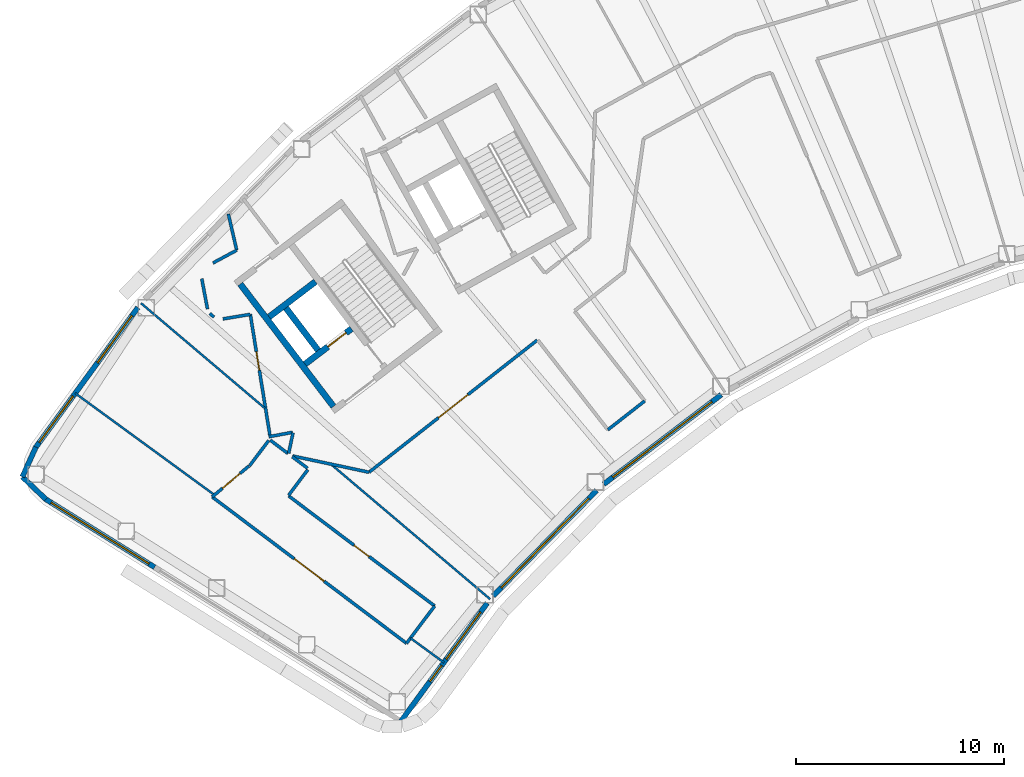
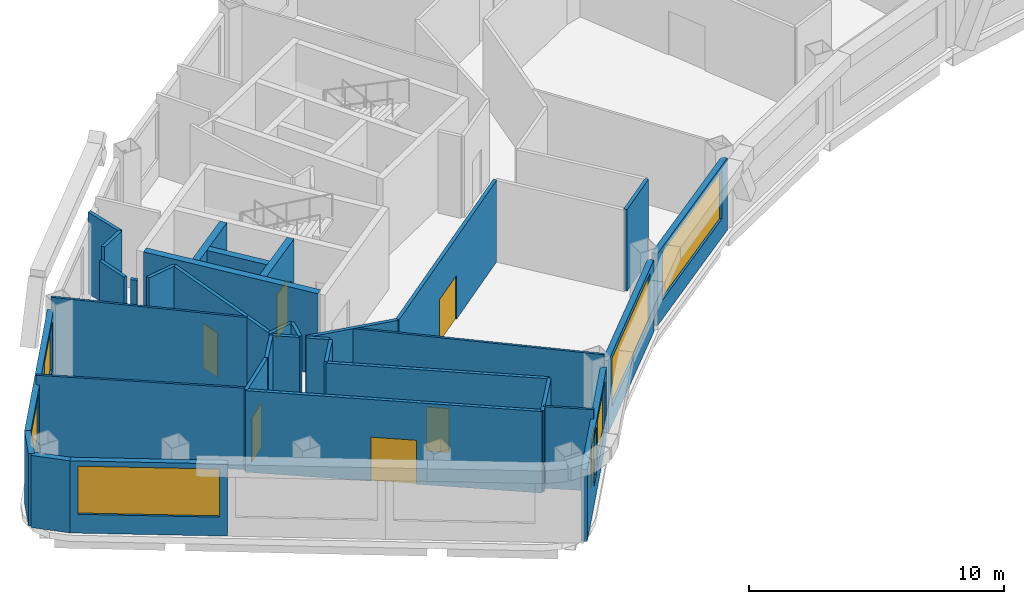
# One storey, part 5 of 14: 34 walls, 7 windows, 6 doors, 13 openings.
"""IFC4 building model written with IfcOpenShell, lengths in metres."""

from ifc_helpers import new_model, si_unit, direction, frame, frame_2d, origin, place, context, subcontext, project, spatial, rectangle, extrude, material, layer, layer_set, type_object, element, fill, save


model = new_model("IFC4")

# Units and contexts
model_context = context("Model", 3, precision=1e-05, world=origin(), true_north=direction((0.0, 1.0)))
body_context = subcontext(model_context, "Body", "Model", "MODEL_VIEW")
ifc_project = project(units=[si_unit("LENGTHUNIT", "METRE"), si_unit("AREAUNIT", "SQUARE_METRE"), si_unit("VOLUMEUNIT", "CUBIC_METRE"), si_unit("PLANEANGLEUNIT", "RADIAN"), si_unit("MASSUNIT", "GRAM", prefix="KILO")], contexts=[model_context])

# Site, building, storey
site_placement = place(None, origin())
site = spatial("IfcSite", under=ifc_project, at=site_placement, CompositionType="ELEMENT")
building_placement = place(site_placement, origin())
building = spatial("IfcBuilding", under=site, at=building_placement, Name="Tuul Gate Civic Tower", CompositionType="ELEMENT")
storey_placement = place(building_placement, frame((0.0, 0.0, 269.39990234375)))
storey = spatial("IfcBuildingStorey", under=building, at=storey_placement, Name="Level 61", CompositionType="ELEMENT", Elevation=269.39990234375)

# Wall, opening, door
ifc_material_1 = material(Name="Concrete C50/60", Category="concrete")
ifc_layer_1 = layer(ifc_material_1, 0.300048828125)
ifc_layer_set_1 = layer_set([ifc_layer_1], Name="Concrete C50/60")
wall_type_1 = type_object("IfcWallType", Name="Core wall C50/60", PredefinedType="SHEAR", material=ifc_layer_set_1)
wall_1_placement = place(storey_placement, frame((-35.470947265625, -13.66064453125, 0.0), z_axis=(0.0, 0.0, 1.0), x_axis=(-0.795615822227, -0.605801504968, 0.0)))
wall_1 = element("IfcWall", 1, at=wall_1_placement, inside=storey, type_object=wall_type_1, Name="Core wall", PredefinedType="SHEAR", context=body_context, shape_type="SweptSolid", body=[
    extrude(rectangle(XDim=2.800048828125, YDim=0.300048828125, at=frame_2d((1.39990234375, 0.0))), origin(), (0.0, 0.0, 1.0), 3.900146484375),
])
opening_1_placement = place(wall_1_placement, frame((0.324951171875, 0.0, 0.0)))
opening_1 = element("IfcOpeningElement", 2, at=opening_1_placement, cuts=wall_1, Name="Opening LD-H1", PredefinedType="OPENING", context=body_context, shape_type="SweptSolid", body=[
    extrude(rectangle(XDim=1.10009765625, YDim=2.10009765625, at=frame_2d((0.550048828125, 1.050048828125))), frame((0.0, 0.16015625, 0.0), z_axis=(0.0, -1.0, 0.0), x_axis=(1.0, 0.0, 0.0)), (0.0, 0.0, 1.0), 0.320068359375),
])
ifc_material_2 = material(Name="Stainless steel", Category="steel")
door_type_1 = type_object("IfcDoorType", Name="Landing door", OperationType="DOUBLE_DOOR_SLIDING", PredefinedType="DOOR", material=ifc_material_2)
door_1_placement = place(opening_1_placement, origin())
door_1 = element("IfcDoor", 3, at=door_1_placement, inside=storey, type_object=door_type_1, Name="High-rise lift H1 landing door", OperationType="DOUBLE_DOOR_SLIDING", OverallHeight=2.10009765625, OverallWidth=1.10009765625, PredefinedType="DOOR", context=body_context, shape_type="SweptSolid", body=[
    extrude(rectangle(XDim=1.10009765625, YDim=2.10009765625, at=frame_2d((0.550048828125, 1.050048828125))), frame((0.0, 0.02490234375, 0.0), z_axis=(0.0, -1.0, 0.0), x_axis=(1.0, 0.0, 0.0)), (0.0, 0.0, 1.0), 0.050048828125),
])
fill(opening_1, door_1)

# Walls
wall_2_placement = place(storey_placement, frame((-37.197509765625, -11.39306640625, 0.0), z_axis=(0.0, 0.0, 1.0), x_axis=(-0.795583820278, -0.605843531707, 0.0)))
element("IfcWall", 4, at=wall_2_placement, inside=storey, type_object=wall_type_1, Name="Core wall", PredefinedType="SHEAR", context=body_context, shape_type="SweptSolid", body=[
    extrude(rectangle(XDim=2.7998046875, YDim=0.300048828125, at=frame_2d((1.39990234375, 0.0))), origin(), (0.0, 0.0, 1.0), 3.900146484375),
])
wall_3_placement = place(storey_placement, frame((-37.073486328125, -14.6923828125, 0.0), z_axis=(0.0, 0.0, 1.0), x_axis=(-0.605728760074, 0.79567120673, 0.0)))
element("IfcWall", 5, at=wall_3_placement, inside=storey, type_object=wall_type_1, Name="Core wall", PredefinedType="SHEAR", context=body_context, shape_type="SweptSolid", body=[
    extrude(rectangle(XDim=2.550048828125, YDim=0.300048828125, at=frame_2d((1.27490234375, 0.0))), origin(), (0.0, 0.0, 1.0), 3.900146484375),
])
wall_4_placement = place(storey_placement, frame((-36.333984375, -17.397216796875, 0.0), z_axis=(0.0, 0.0, 1.0), x_axis=(-0.605753921168, 0.795652051458, 0.0)))
element("IfcWall", 6, at=wall_4_placement, inside=storey, type_object=wall_type_1, Name="Core wall", PredefinedType="SHEAR", context=body_context, shape_type="SweptSolid", body=[
    extrude(rectangle(XDim=7.400146484375, YDim=0.300048828125, at=frame_2d((3.7001953125, 0.0))), origin(), (0.0, 0.0, 1.0), 3.900146484375),
])
ifc_material_3 = material(Name="Gypsum board partition")
ifc_layer_2 = layer(ifc_material_3, 0.14990234375)
ifc_layer_set_2 = layer_set([ifc_layer_2], Name="Gypsum board partition")
wall_type_2 = type_object("IfcWallType", Name="Corridor wall P150", PredefinedType="PARTITIONING", material=ifc_layer_set_2)
wall_5_placement = place(storey_placement, frame((-41.389404296875, -8.13916015625, 0.0), z_axis=(0.0, 0.0, 1.0), x_axis=(0.224829597414, -0.974398097354, 0.0)))
element("IfcWall", 7, at=wall_5_placement, inside=storey, type_object=wall_type_2, Name="p003", PredefinedType="PARTITIONING", context=body_context, shape_type="SweptSolid", body=[
    extrude(rectangle(XDim=1.78857421875, YDim=0.14990234375, at=frame_2d((0.894287109375, 0.0))), origin(), (0.0, 0.0, 1.0), 3.900146484375),
])

# Wall, opening, door
wall_6_placement = place(storey_placement, frame((-40.333740234375, -12.9658203125, 0.0), z_axis=(0.0, 0.0, 1.0), x_axis=(0.160026866299, -0.987112659256, 0.0)))
wall_6 = element("IfcWall", 8, at=wall_6_placement, inside=storey, type_object=wall_type_2, Name="p004", PredefinedType="PARTITIONING", context=body_context, shape_type="SweptSolid", body=[
    extrude(rectangle(XDim=5.951416015625, YDim=0.14990234375, at=frame_2d((2.9755859375, 0.0))), origin(), (0.0, 0.0, 1.0), 3.900146484375),
])
opening_2_placement = place(wall_6_placement, frame((1.818359375, 0.0, 0.0)))
opening_2 = element("IfcOpeningElement", 9, at=opening_2_placement, cuts=wall_6, Name="Opening W-D01", PredefinedType="OPENING", context=body_context, shape_type="SweptSolid", body=[
    extrude(rectangle(XDim=0.89990234375, YDim=2.10009765625, at=frame_2d((0.449951171875, 1.050048828125))), frame((0.0, 0.0849609375, 0.0), z_axis=(0.0, -1.0, 0.0), x_axis=(1.0, 0.0, 0.0)), (0.0, 0.0, 1.0), 0.169921875),
])
ifc_material_4 = material(Name="Timber door leaf", Category="wood")
door_type_2 = type_object("IfcDoorType", Name="Door D09", OperationType="NOTDEFINED", PredefinedType="DOOR", material=ifc_material_4)
door_2_placement = place(opening_2_placement, frame((0.89990234375, 0.0, 0.0), z_axis=(0.0, 0.0, 1.0), x_axis=(-1.0, 0.0, 0.0)))
door_2 = element("IfcDoor", 10, at=door_2_placement, inside=storey, type_object=door_type_2, Name="Door W-D01", OperationType="SINGLE_SWING_LEFT", OverallHeight=2.10009765625, OverallWidth=0.89990234375, PredefinedType="DOOR", context=body_context, shape_type="SweptSolid", body=[
    extrude(rectangle(XDim=0.89990234375, YDim=2.10009765625, at=frame_2d((0.449951171875, 1.050048828125))), frame((0.0, 0.02490234375, 0.0), z_axis=(0.0, -1.0, 0.0), x_axis=(1.0, 0.0, 0.0)), (0.0, 0.0, 1.0), 0.050048828125),
])
fill(opening_2, door_2)

# Walls
wall_7_placement = place(storey_placement, frame((-42.1259765625, -10.49609375, 0.0), z_axis=(0.0, 0.0, 1.0), x_axis=(0.88010728626, 0.474774856824, 0.0)))
element("IfcWall", 11, at=wall_7_placement, inside=storey, type_object=wall_type_2, Name="p005", PredefinedType="PARTITIONING", context=body_context, shape_type="SweptSolid", body=[
    extrude(rectangle(XDim=1.293701171875, YDim=0.14990234375, at=frame_2d((0.64697265625, 0.0))), origin(), (0.0, 0.0, 1.0), 3.900146484375),
])
wall_8_placement = place(storey_placement, frame((-42.6669921875, -11.251953125, 0.0), z_axis=(0.0, 0.0, 1.0), x_axis=(0.184913715459, -0.982754759762, 0.0)))
element("IfcWall", 12, at=wall_8_placement, inside=storey, type_object=wall_type_2, Name="p006", PredefinedType="PARTITIONING", context=body_context, shape_type="SweptSolid", body=[
    extrude(rectangle(XDim=1.4853515625, YDim=0.14990234375, at=frame_2d((0.74267578125, 0.0))), origin(), (0.0, 0.0, 1.0), 3.900146484375),
])
wall_9_placement = place(storey_placement, frame((-42.2802734375, -12.9267578125, 0.0), z_axis=(0.0, 0.0, 1.0), x_axis=(0.759648822449, -0.650333504097, 0.0)))
element("IfcWall", 13, at=wall_9_placement, inside=storey, type_object=wall_type_2, Name="p007", PredefinedType="PARTITIONING", context=body_context, shape_type="SweptSolid", body=[
    extrude(rectangle(XDim=0.263427734375, YDim=0.14990234375, at=frame_2d((0.1318359375, 0.0))), origin(), (0.0, 0.0, 1.0), 3.900146484375),
])
wall_10_placement = place(storey_placement, frame((-41.651611328125, -13.185302734375, 0.0), z_axis=(0.0, 0.0, 1.0), x_axis=(0.986428455202, 0.164191664734, 0.0)))
element("IfcWall", 14, at=wall_10_placement, inside=storey, type_object=wall_type_2, Name="p008", PredefinedType="PARTITIONING", context=body_context, shape_type="SweptSolid", body=[
    extrude(rectangle(XDim=1.336669921875, YDim=0.14990234375, at=frame_2d((0.66845703125, 0.0))), origin(), (0.0, 0.0, 1.0), 3.900146484375),
])
wall_11_placement = place(storey_placement, frame((-32.821044921875, -28.787109375, 0.0), z_axis=(0.0, 0.0, 1.0), x_axis=(0.601857264681, 0.798603677021, 0.0)))
element("IfcWall", 15, at=wall_11_placement, inside=storey, type_object=wall_type_2, Name="p053", PredefinedType="PARTITIONING", context=body_context, shape_type="SweptSolid", body=[
    extrude(rectangle(XDim=2.24853515625, YDim=0.14990234375, at=frame_2d((1.124267578125, 0.0))), origin(), (0.0, 0.0, 1.0), 3.900146484375),
])

# Wall, opening, door
wall_12_placement = place(storey_placement, frame((-38.4912109375, -21.697998046875, 0.0), z_axis=(0.0, 0.0, 1.0), x_axis=(0.798628696384, -0.601824065082, 0.0)))
wall_12 = element("IfcWall", 16, at=wall_12_placement, inside=storey, type_object=wall_type_2, Name="p055", PredefinedType="PARTITIONING", context=body_context, shape_type="SweptSolid", body=[
    extrude(rectangle(XDim=8.7939453125, YDim=0.14990234375, at=frame_2d((4.39697265625, 0.0))), origin(), (0.0, 0.0, 1.0), 3.900146484375),
])
opening_3_placement = place(wall_12_placement, frame((3.947021484375, 0.0, 0.0)))
opening_3 = element("IfcOpeningElement", 17, at=opening_3_placement, cuts=wall_12, Name="Opening W-D18", PredefinedType="OPENING", context=body_context, shape_type="SweptSolid", body=[
    extrude(rectangle(XDim=0.89990234375, YDim=2.10009765625, at=frame_2d((0.449951171875, 1.050048828125))), frame((0.0, 0.0849609375, 0.0), z_axis=(0.0, -1.0, 0.0), x_axis=(1.0, 0.0, 0.0)), (0.0, 0.0, 1.0), 0.169921875),
])
door_3_placement = place(opening_3_placement, origin())
door_3 = element("IfcDoor", 18, at=door_3_placement, inside=storey, type_object=door_type_2, Name="Door W-D18", OperationType="SINGLE_SWING_RIGHT", OverallHeight=2.10009765625, OverallWidth=0.89990234375, PredefinedType="DOOR", context=body_context, shape_type="SweptSolid", body=[
    extrude(rectangle(XDim=0.89990234375, YDim=2.10009765625, at=frame_2d((0.449951171875, 1.050048828125))), frame((0.0, 0.02490234375, 0.0), z_axis=(0.0, -1.0, 0.0), x_axis=(1.0, 0.0, 0.0)), (0.0, 0.0, 1.0), 0.050048828125),
])
fill(opening_3, door_3)

# Walls
wall_13_placement = place(storey_placement, frame((-38.4951171875, -21.669921875, 0.0), z_axis=(0.0, 0.0, 1.0), x_axis=(0.601901548025, 0.79857030153, 0.0)))
element("IfcWall", 19, at=wall_13_placement, inside=storey, type_object=wall_type_2, Name="p056", PredefinedType="PARTITIONING", context=body_context, shape_type="SweptSolid", body=[
    extrude(rectangle(XDim=1.539306640625, YDim=0.14990234375, at=frame_2d((0.76953125, 0.0))), origin(), (0.0, 0.0, 1.0), 3.900146484375),
])
wall_14_placement = place(storey_placement, frame((-39.375, -19.016357421875, 0.0), z_axis=(0.0, 0.0, 1.0), x_axis=(0.798574004357, -0.601896635284, 0.0)))
element("IfcWall", 20, at=wall_14_placement, inside=storey, type_object=wall_type_2, Name="p057", PredefinedType="PARTITIONING", context=body_context, shape_type="SweptSolid", body=[
    extrude(rectangle(XDim=1.070068359375, YDim=0.14990234375, at=frame_2d((0.53515625, 0.0))), origin(), (0.0, 0.0, 1.0), 3.900146484375),
])
wall_15_placement = place(storey_placement, frame((-38.319091796875, -19.812255859375, 0.0), z_axis=(0.0, 0.0, 1.0), x_axis=(0.798702514551, -0.601726094872, 0.0)))
element("IfcWall", 21, at=wall_15_placement, inside=storey, type_object=wall_type_2, Name="p058", PredefinedType="PARTITIONING", context=body_context, shape_type="SweptSolid", body=[
    extrude(rectangle(XDim=0.927001953125, YDim=0.14990234375, at=frame_2d((0.46337890625, 0.0))), origin(), (0.0, 0.0, 1.0), 3.900146484375),
])
wall_16_placement = place(storey_placement, frame((-38.302734375, -19.776611328125, 0.0), z_axis=(0.0, 0.0, 1.0), x_axis=(0.978069382998, -0.208279336568, 0.0)))
element("IfcWall", 22, at=wall_16_placement, inside=storey, type_object=wall_type_2, Name="p059", PredefinedType="PARTITIONING", context=body_context, shape_type="SweptSolid", body=[
    extrude(rectangle(XDim=3.7626953125, YDim=0.14990234375, at=frame_2d((1.88134765625, 0.0))), origin(), (0.0, 0.0, 1.0), 3.900146484375),
])
wall_17_placement = place(storey_placement, frame((-39.44580078125, -18.853515625, 0.0), z_axis=(0.0, 0.0, 1.0), x_axis=(0.982791297531, 0.184719423714, 0.0)))
element("IfcWall", 23, at=wall_17_placement, inside=storey, type_object=wall_type_2, Name="p060", PredefinedType="PARTITIONING", context=body_context, shape_type="SweptSolid", body=[
    extrude(rectangle(XDim=1.1630859375, YDim=0.14990234375, at=frame_2d((0.58154296875, 0.0))), origin(), (0.0, 0.0, 1.0), 3.900146484375),
])
wall_18_placement = place(storey_placement, frame((-38.489013671875, -19.648681640625, 0.0), z_axis=(0.0, 0.0, 1.0), x_axis=(0.208304852923, 0.978063948957, 0.0)))
element("IfcWall", 24, at=wall_18_placement, inside=storey, type_object=wall_type_2, Name="p061", PredefinedType="PARTITIONING", context=body_context, shape_type="SweptSolid", body=[
    extrude(rectangle(XDim=1.008056640625, YDim=0.14990234375, at=frame_2d((0.50390625, 0.0))), origin(), (0.0, 0.0, 1.0), 3.900146484375),
])
wall_19_placement = place(storey_placement, frame((-40.3720703125, -20.255859375, 0.0), z_axis=(0.0, 0.0, 1.0), x_axis=(0.601825320308, 0.79862775048, 0.0)))
element("IfcWall", 25, at=wall_19_placement, inside=storey, type_object=wall_type_2, Name="p062", PredefinedType="PARTITIONING", context=body_context, shape_type="SweptSolid", body=[
    extrude(rectangle(XDim=1.53955078125, YDim=0.14990234375, at=frame_2d((0.769775390625, 0.0))), origin(), (0.0, 0.0, 1.0), 3.900146484375),
])

# Wall, opening, door
wall_20_placement = place(storey_placement, frame((-42.166015625, -21.7451171875, 0.0), z_axis=(0.0, 0.0, 1.0), x_axis=(0.765317077377, 0.643653455732, 0.0)))
wall_20 = element("IfcWall", 26, at=wall_20_placement, inside=storey, type_object=wall_type_2, Name="p063", PredefinedType="PARTITIONING", context=body_context, shape_type="SweptSolid", body=[
    extrude(rectangle(XDim=2.3076171875, YDim=0.14990234375, at=frame_2d((1.15380859375, 0.0))), origin(), (0.0, 0.0, 1.0), 3.900146484375),
])
opening_4_placement = place(wall_20_placement, frame((0.64453125, 0.0, 0.0)))
opening_4 = element("IfcOpeningElement", 27, at=opening_4_placement, cuts=wall_20, Name="Opening W-D19", PredefinedType="OPENING", context=body_context, shape_type="SweptSolid", body=[
    extrude(rectangle(XDim=1.10009765625, YDim=2.10009765625, at=frame_2d((0.550048828125, 1.050048828125))), frame((0.0, 0.0849609375, 0.0), z_axis=(0.0, -1.0, 0.0), x_axis=(1.0, 0.0, 0.0)), (0.0, 0.0, 1.0), 0.169921875),
])
ifc_material_5 = material(Name="Timber door leaf", Category="wood")
door_type_3 = type_object("IfcDoorType", Name="Door D11", OperationType="NOTDEFINED", PredefinedType="DOOR", material=ifc_material_5)
door_4_placement = place(opening_4_placement, origin())
door_4 = element("IfcDoor", 28, at=door_4_placement, inside=storey, type_object=door_type_3, Name="Door W-D19", OperationType="SINGLE_SWING_LEFT", OverallHeight=2.10009765625, OverallWidth=1.10009765625, PredefinedType="DOOR", context=body_context, shape_type="SweptSolid", body=[
    extrude(rectangle(XDim=1.10009765625, YDim=2.10009765625, at=frame_2d((0.550048828125, 1.050048828125))), frame((0.0, 0.02490234375, 0.0), z_axis=(0.0, -1.0, 0.0), x_axis=(1.0, 0.0, 0.0)), (0.0, 0.0, 1.0), 0.050048828125),
])
fill(opening_4, door_4)

wall_21_placement = place(storey_placement, frame((-42.166015625, -21.74609375, 0.0), z_axis=(0.0, 0.0, 1.0), x_axis=(0.798633245042, -0.601818028904, 0.0)))
wall_21 = element("IfcWall", 29, at=wall_21_placement, inside=storey, type_object=wall_type_2, Name="p064", PredefinedType="PARTITIONING", context=body_context, shape_type="SweptSolid", body=[
    extrude(rectangle(XDim=11.699951171875, YDim=0.14990234375, at=frame_2d((5.85009765625, 0.0))), origin(), (0.0, 0.0, 1.0), 3.900146484375),
])
opening_5_placement = place(wall_21_placement, frame((4.949951171875, 0.0, 0.0)))
opening_5 = element("IfcOpeningElement", 30, at=opening_5_placement, cuts=wall_21, Name="Opening W-D20", PredefinedType="OPENING", context=body_context, shape_type="SweptSolid", body=[
    extrude(rectangle(XDim=1.800048828125, YDim=2.10009765625, at=frame_2d((0.89990234375, 1.050048828125))), frame((0.0, 0.0849609375, 0.0), z_axis=(0.0, -1.0, 0.0), x_axis=(1.0, 0.0, 0.0)), (0.0, 0.0, 1.0), 0.169921875),
])
ifc_material_6 = material(Name="Timber door leaf, double", Category="wood")
door_type_4 = type_object("IfcDoorType", Name="Door D18", OperationType="DOUBLE_DOOR_SINGLE_SWING", PredefinedType="DOOR", material=ifc_material_6)
door_5_placement = place(opening_5_placement, frame((1.800048828125, 0.0, 0.0), z_axis=(0.0, 0.0, 1.0), x_axis=(-1.0, 0.0, 0.0)))
door_5 = element("IfcDoor", 31, at=door_5_placement, inside=storey, type_object=door_type_4, Name="Door W-D20", OperationType="DOUBLE_DOOR_SINGLE_SWING", OverallHeight=2.10009765625, OverallWidth=1.800048828125, PredefinedType="DOOR", context=body_context, shape_type="SweptSolid", body=[
    extrude(rectangle(XDim=1.800048828125, YDim=2.10009765625, at=frame_2d((0.900146484375, 1.050048828125))), frame((0.0, 0.02490234375, 0.0), z_axis=(0.0, -1.0, 0.0), x_axis=(1.0, 0.0, 0.0)), (0.0, 0.0, 1.0), 0.050048828125),
])
fill(opening_5, door_5)

wall_22_placement = place(storey_placement, frame((-34.62255859375, -20.560302734375, 0.0), z_axis=(0.0, 0.0, 1.0), x_axis=(0.786392449713, 0.617727217334, 0.0)))
wall_22 = element("IfcWall", 32, at=wall_22_placement, inside=storey, type_object=wall_type_2, Name="p093", PredefinedType="PARTITIONING", context=body_context, shape_type="SweptSolid", body=[
    extrude(rectangle(XDim=10.287353515625, YDim=0.14990234375, at=frame_2d((5.1435546875, 0.0))), origin(), (0.0, 0.0, 1.0), 3.900146484375),
])
opening_6_placement = place(wall_22_placement, frame((4.24365234375, 0.0, 0.0)))
opening_6 = element("IfcOpeningElement", 33, at=opening_6_placement, cuts=wall_22, Name="Opening W-D26", PredefinedType="OPENING", context=body_context, shape_type="SweptSolid", body=[
    extrude(rectangle(XDim=1.800048828125, YDim=2.10009765625, at=frame_2d((0.89990234375, 1.050048828125))), frame((0.0, 0.0849609375, 0.0), z_axis=(0.0, -1.0, 0.0), x_axis=(1.0, 0.0, 0.0)), (0.0, 0.0, 1.0), 0.169921875),
])
door_6_placement = place(opening_6_placement, frame((1.800048828125, 0.0, 0.0), z_axis=(0.0, 0.0, 1.0), x_axis=(-1.0, 0.0, 0.0)))
door_6 = element("IfcDoor", 34, at=door_6_placement, inside=storey, type_object=door_type_4, Name="Door W-D26", OperationType="DOUBLE_DOOR_SINGLE_SWING", OverallHeight=2.10009765625, OverallWidth=1.800048828125, PredefinedType="DOOR", context=body_context, shape_type="SweptSolid", body=[
    extrude(rectangle(XDim=1.800048828125, YDim=2.10009765625, at=frame_2d((0.900146484375, 1.050048828125))), frame((0.0, 0.02490234375, 0.0), z_axis=(0.0, -1.0, 0.0), x_axis=(1.0, 0.0, 0.0)), (0.0, 0.0, 1.0), 0.050048828125),
])
fill(opening_6, door_6)

# Wall
wall_23_placement = place(storey_placement, frame((-23.137939453125, -18.517333984375, 0.0), z_axis=(0.0, 0.0, 1.0), x_axis=(0.787994761413, 0.615681943852, 0.0)))
element("IfcWall", 35, at=wall_23_placement, inside=storey, type_object=wall_type_2, Name="p096", PredefinedType="PARTITIONING", context=body_context, shape_type="SweptSolid", body=[
    extrude(rectangle(XDim=2.25, YDim=0.14990234375, at=frame_2d((1.125, 0.0))), origin(), (0.0, 0.0, 1.0), 3.900146484375),
])

# Wall, openings, windows
ifc_material_7 = material(Name="Precast concrete C40/50", Category="concrete")
ifc_layer_3 = layer(ifc_material_7, 0.25)
ifc_layer_set_3 = layer_set([ifc_layer_3], Name="Precast concrete C40/50")
wall_type_3 = type_object("IfcWallType", Name="External wall", PredefinedType="STANDARD", material=ifc_layer_set_3)
wall_24_placement = place(storey_placement, frame((-45.740966796875, -12.638671875, 0.0), z_axis=(0.0, 0.0, 1.0), x_axis=(-0.589821256366, -0.807533829346, 0.0)))
wall_24 = element("IfcWall", 36, at=wall_24_placement, inside=storey, type_object=wall_type_3, Name="External wall", PredefinedType="STANDARD", context=body_context, shape_type="SweptSolid", body=[
    extrude(rectangle(XDim=8.33642578125, YDim=0.25, at=frame_2d((4.168212890625, 0.0))), origin(), (0.0, 0.0, 1.0), 3.4501953125),
])
opening_7_placement = place(wall_24_placement, frame((0.484619140625, 0.0, 0.89990234375)))
opening_7 = element("IfcOpeningElement", 37, at=opening_7_placement, cuts=wall_24, Name="Opening W23", PredefinedType="OPENING", context=body_context, shape_type="SweptSolid", body=[
    extrude(rectangle(XDim=2.800048828125, YDim=2.300048828125, at=frame_2d((1.39990234375, 1.14990234375))), frame((0.0, 0.135009765625, 0.0), z_axis=(0.0, -1.0, 0.0), x_axis=(1.0, 0.0, 0.0)), (0.0, 0.0, 1.0), 0.27001953125),
])
opening_8_placement = place(wall_24_placement, frame((5.282958984375, 0.0, 0.89990234375)))
opening_8 = element("IfcOpeningElement", 38, at=opening_8_placement, cuts=wall_24, Name="Opening W30", PredefinedType="OPENING", context=body_context, shape_type="SweptSolid", body=[
    extrude(rectangle(XDim=2.75, YDim=2.300048828125, at=frame_2d((1.375, 1.14990234375))), frame((0.0, 0.135009765625, 0.0), z_axis=(0.0, -1.0, 0.0), x_axis=(1.0, 0.0, 0.0)), (0.0, 0.0, 1.0), 0.27001953125),
])
ifc_material_8 = material(Name="Glass", Category="glass")
window_type_1 = type_object("IfcWindowType", Name="Window 2750 x 2300", PartitioningType="SINGLE_PANEL", PredefinedType="WINDOW", material=ifc_material_8)
window_1_placement = place(opening_8_placement, origin())
window_1 = element("IfcWindow", 39, at=window_1_placement, inside=storey, type_object=window_type_1, Name="Window", OverallHeight=2.300048828125, OverallWidth=2.75, PartitioningType="SINGLE_PANEL", PredefinedType="WINDOW", context=body_context, shape_type="SweptSolid", body=[
    extrude(rectangle(XDim=2.75, YDim=2.300048828125, at=frame_2d((1.375, 1.14990234375))), frame((0.0, 0.030029296875, 0.0), z_axis=(0.0, -1.0, 0.0), x_axis=(1.0, 0.0, 0.0)), (0.0, 0.0, 1.0), 0.06005859375),
])
fill(opening_8, window_1)
ifc_material_9 = material(Name="Glass", Category="glass")
window_type_2 = type_object("IfcWindowType", Name="Window W23 2800 x 2300", PartitioningType="SINGLE_PANEL", PredefinedType="WINDOW", material=ifc_material_9)
window_2_placement = place(opening_7_placement, origin())
window_2 = element("IfcWindow", 40, at=window_2_placement, inside=storey, type_object=window_type_2, Name="Window", OverallHeight=2.300048828125, OverallWidth=2.800048828125, PartitioningType="SINGLE_PANEL", PredefinedType="WINDOW", context=body_context, shape_type="SweptSolid", body=[
    extrude(rectangle(XDim=2.800048828125, YDim=2.300048828125, at=frame_2d((1.39990234375, 1.14990234375))), frame((0.0, 0.030029296875, 0.0), z_axis=(0.0, -1.0, 0.0), x_axis=(1.0, 0.0, 0.0)), (0.0, 0.0, 1.0), 0.06005859375),
])
fill(opening_7, window_2)

# Walls
wall_25_placement = place(storey_placement, frame((-50.645263671875, -19.3486328125, 0.0), z_axis=(0.0, 0.0, 1.0), x_axis=(-0.412995937313, -0.9107328674, 0.0)))
element("IfcWall", 41, at=wall_25_placement, inside=storey, type_object=wall_type_3, Name="External wall", PredefinedType="STANDARD", context=body_context, shape_type="SweptSolid", body=[
    extrude(rectangle(XDim=1.572998046875, YDim=0.25, at=frame_2d((0.78662109375, 0.0))), origin(), (0.0, 0.0, 1.0), 3.4501953125),
])
wall_26_placement = place(storey_placement, frame((-51.294921875, -20.78125, 0.0), z_axis=(0.0, 0.0, 1.0), x_axis=(0.722783622894, -0.69107440589, 0.0)))
element("IfcWall", 42, at=wall_26_placement, inside=storey, type_object=wall_type_3, Name="External wall", PredefinedType="STANDARD", context=body_context, shape_type="SweptSolid", body=[
    extrude(rectangle(XDim=1.570556640625, YDim=0.25, at=frame_2d((0.78515625, 0.0))), origin(), (0.0, 0.0, 1.0), 3.4501953125),
])

# Wall, opening, window
wall_27_placement = place(storey_placement, frame((-50.1796875, -21.85107421875, 0.0), z_axis=(0.0, 0.0, 1.0), x_axis=(0.848024923451, -0.529956346509, 0.0)))
wall_27 = element("IfcWall", 43, at=wall_27_placement, inside=storey, type_object=wall_type_3, Name="External wall", PredefinedType="STANDARD", context=body_context, shape_type="SweptSolid", body=[
    extrude(rectangle(XDim=6.182861328125, YDim=0.25, at=frame_2d((3.09130859375, 0.0))), origin(), (0.0, 0.0, 1.0), 3.4501953125),
])
opening_9_placement = place(wall_27_placement, frame((0.31640625, 0.0, 0.89990234375)))
opening_9 = element("IfcOpeningElement", 44, at=opening_9_placement, cuts=wall_27, Name="Opening W24", PredefinedType="OPENING", context=body_context, shape_type="SweptSolid", body=[
    extrude(rectangle(XDim=5.550048828125, YDim=2.300048828125, at=frame_2d((2.77490234375, 1.14990234375))), frame((0.0, 0.135009765625, 0.0), z_axis=(0.0, -1.0, 0.0), x_axis=(1.0, 0.0, 0.0)), (0.0, 0.0, 1.0), 0.27001953125),
])
ifc_material_10 = material(Name="Glass", Category="glass")
window_type_3 = type_object("IfcWindowType", Name="Window W24 5550 x 2300", PartitioningType="SINGLE_PANEL", PredefinedType="WINDOW", material=ifc_material_10)
window_3_placement = place(opening_9_placement, origin())
window_3 = element("IfcWindow", 45, at=window_3_placement, inside=storey, type_object=window_type_3, Name="Window", OverallHeight=2.300048828125, OverallWidth=5.550048828125, PartitioningType="SINGLE_PANEL", PredefinedType="WINDOW", context=body_context, shape_type="SweptSolid", body=[
    extrude(rectangle(XDim=5.550048828125, YDim=2.300048828125, at=frame_2d((2.77490234375, 1.14990234375))), frame((0.0, 0.030029296875, 0.0), z_axis=(0.0, -1.0, 0.0), x_axis=(1.0, 0.0, 0.0)), (0.0, 0.0, 1.0), 0.06005859375),
])
fill(opening_9, window_3)

# Wall, openings, windows
wall_28_placement = place(storey_placement, frame((-33.088623046875, -32.53173828125, 0.0), z_axis=(0.0, 0.0, 1.0), x_axis=(0.589734649771, 0.807597079526, 0.0)))
wall_28 = element("IfcWall", 46, at=wall_28_placement, inside=storey, type_object=wall_type_3, Name="External wall", PredefinedType="STANDARD", context=body_context, shape_type="SweptSolid", body=[
    extrude(rectangle(XDim=7.03515625, YDim=0.25, at=frame_2d((3.517578125, 0.0))), origin(), (0.0, 0.0, 1.0), 3.4501953125),
])
opening_10_placement = place(wall_28_placement, frame((2.36474609375, 0.0, 0.89990234375)))
opening_10 = element("IfcOpeningElement", 47, at=opening_10_placement, cuts=wall_28, Name="Opening W71", PredefinedType="OPENING", context=body_context, shape_type="SweptSolid", body=[
    extrude(rectangle(XDim=0.949951171875, YDim=2.300048828125, at=frame_2d((0.47509765625, 1.14990234375))), frame((0.0, 0.135009765625, 0.0), z_axis=(0.0, -1.0, 0.0), x_axis=(1.0, 0.0, 0.0)), (0.0, 0.0, 1.0), 0.27001953125),
])
opening_11_placement = place(wall_28_placement, frame((3.68994140625, 0.0, 0.89990234375)))
opening_11 = element("IfcOpeningElement", 48, at=opening_11_placement, cuts=wall_28, Name="Opening W36", PredefinedType="OPENING", context=body_context, shape_type="SweptSolid", body=[
    extrude(rectangle(XDim=2.800048828125, YDim=2.300048828125, at=frame_2d((1.39990234375, 1.14990234375))), frame((0.0, 0.135009765625, 0.0), z_axis=(0.0, -1.0, 0.0), x_axis=(1.0, 0.0, 0.0)), (0.0, 0.0, 1.0), 0.27001953125),
])
ifc_material_11 = material(Name="Glass", Category="glass")
window_type_4 = type_object("IfcWindowType", Name="Window 2800 x 2300", PartitioningType="SINGLE_PANEL", PredefinedType="WINDOW", material=ifc_material_11)
window_4_placement = place(opening_11_placement, origin())
window_4 = element("IfcWindow", 49, at=window_4_placement, inside=storey, type_object=window_type_4, Name="Window", OverallHeight=2.300048828125, OverallWidth=2.800048828125, PartitioningType="SINGLE_PANEL", PredefinedType="WINDOW", context=body_context, shape_type="SweptSolid", body=[
    extrude(rectangle(XDim=2.800048828125, YDim=2.300048828125, at=frame_2d((1.39990234375, 1.14990234375))), frame((0.0, 0.030029296875, 0.0), z_axis=(0.0, -1.0, 0.0), x_axis=(1.0, 0.0, 0.0)), (0.0, 0.0, 1.0), 0.06005859375),
])
fill(opening_11, window_4)
ifc_material_12 = material(Name="Glass", Category="glass")
window_type_5 = type_object("IfcWindowType", Name="Window 950 x 2300", PartitioningType="SINGLE_PANEL", PredefinedType="WINDOW", material=ifc_material_12)
window_5_placement = place(opening_10_placement, origin())
window_5 = element("IfcWindow", 50, at=window_5_placement, inside=storey, type_object=window_type_5, Name="Window", OverallHeight=2.300048828125, OverallWidth=0.949951171875, PartitioningType="SINGLE_PANEL", PredefinedType="WINDOW", context=body_context, shape_type="SweptSolid", body=[
    extrude(rectangle(XDim=0.949951171875, YDim=2.300048828125, at=frame_2d((0.47509765625, 1.14990234375))), frame((0.0, 0.030029296875, 0.0), z_axis=(0.0, -1.0, 0.0), x_axis=(1.0, 0.0, 0.0)), (0.0, 0.0, 1.0), 0.06005859375),
])
fill(opening_10, window_5)

# Wall, opening, window
wall_29_placement = place(storey_placement, frame((-28.64990234375, -26.50634765625, 0.0), z_axis=(0.0, 0.0, 1.0), x_axis=(0.700015105418, 0.714128036269, 0.0)))
wall_29 = element("IfcWall", 51, at=wall_29_placement, inside=storey, type_object=wall_type_3, Name="External wall", PredefinedType="STANDARD", context=body_context, shape_type="SweptSolid", body=[
    extrude(rectangle(XDim=7.10986328125, YDim=0.25, at=frame_2d((3.554931640625, 0.0))), origin(), (0.0, 0.0, 1.0), 3.4501953125),
])
opening_12_placement = place(wall_29_placement, frame((0.555908203125, 0.0, 0.89990234375)))
opening_12 = element("IfcOpeningElement", 52, at=opening_12_placement, cuts=wall_29, Name="Opening W26", PredefinedType="OPENING", context=body_context, shape_type="SweptSolid", body=[
    extrude(rectangle(XDim=6.0, YDim=2.300048828125, at=frame_2d((3.0, 1.14990234375))), frame((0.0, 0.135009765625, 0.0), z_axis=(0.0, -1.0, 0.0), x_axis=(1.0, 0.0, 0.0)), (0.0, 0.0, 1.0), 0.27001953125),
])
ifc_material_13 = material(Name="Glass", Category="glass")
window_type_6 = type_object("IfcWindowType", Name="Window W26 6000 x 2300", PartitioningType="SINGLE_PANEL", PredefinedType="WINDOW", material=ifc_material_13)
window_6_placement = place(opening_12_placement, origin())
window_6 = element("IfcWindow", 53, at=window_6_placement, inside=storey, type_object=window_type_6, Name="Window", OverallHeight=2.300048828125, OverallWidth=6.0, PartitioningType="SINGLE_PANEL", PredefinedType="WINDOW", context=body_context, shape_type="SweptSolid", body=[
    extrude(rectangle(XDim=6.0, YDim=2.300048828125, at=frame_2d((3.0, 1.14990234375))), frame((0.0, 0.030029296875, 0.0), z_axis=(0.0, -1.0, 0.0), x_axis=(1.0, 0.0, 0.0)), (0.0, 0.0, 1.0), 0.06005859375),
])
fill(opening_12, window_6)

wall_30_placement = place(storey_placement, frame((-23.3359375, -21.133056640625, 0.0), z_axis=(0.0, 0.0, 1.0), x_axis=(0.795636022241, 0.605774974815, 0.0)))
wall_30 = element("IfcWall", 54, at=wall_30_placement, inside=storey, type_object=wall_type_3, Name="External wall", PredefinedType="STANDARD", context=body_context, shape_type="SweptSolid", body=[
    extrude(rectangle(XDim=7.103271484375, YDim=0.25, at=frame_2d((3.5517578125, 0.0))), origin(), (0.0, 0.0, 1.0), 3.4501953125),
])
opening_13_placement = place(wall_30_placement, frame((0.540771484375, 0.0, 0.89990234375)))
opening_13 = element("IfcOpeningElement", 55, at=opening_13_placement, cuts=wall_30, Name="Opening W26", PredefinedType="OPENING", context=body_context, shape_type="SweptSolid", body=[
    extrude(rectangle(XDim=6.0, YDim=2.300048828125, at=frame_2d((3.0, 1.14990234375))), frame((0.0, 0.135009765625, 0.0), z_axis=(0.0, -1.0, 0.0), x_axis=(1.0, 0.0, 0.0)), (0.0, 0.0, 1.0), 0.27001953125),
])
window_7_placement = place(opening_13_placement, origin())
window_7 = element("IfcWindow", 56, at=window_7_placement, inside=storey, type_object=window_type_6, Name="Window", OverallHeight=2.300048828125, OverallWidth=6.0, PartitioningType="SINGLE_PANEL", PredefinedType="WINDOW", context=body_context, shape_type="SweptSolid", body=[
    extrude(rectangle(XDim=6.0, YDim=2.300048828125, at=frame_2d((3.0, 1.14990234375))), frame((0.0, 0.030029296875, 0.0), z_axis=(0.0, -1.0, 0.0), x_axis=(1.0, 0.0, 0.0)), (0.0, 0.0, 1.0), 0.06005859375),
])
fill(opening_13, window_7)

# Walls
ifc_material_14 = material(Name="Gypsum board partition")
ifc_layer_4 = layer(ifc_material_14, 0.10009765625)
ifc_layer_set_4 = layer_set([ifc_layer_4], Name="Gypsum board partition")
wall_type_4 = type_object("IfcWallType", Name="Partition P100", PredefinedType="PARTITIONING", material=ifc_layer_set_4)
wall_31_placement = place(storey_placement, frame((-45.59326171875, -12.427734375, 0.0), z_axis=(0.0, 0.0, 1.0), x_axis=(0.76281695038, -0.646614491187, 0.0)))
element("IfcWall", 57, at=wall_31_placement, inside=storey, type_object=wall_type_4, Name="p001", PredefinedType="PARTITIONING", context=body_context, shape_type="SweptSolid", body=[
    extrude(rectangle(XDim=7.8115234375, YDim=0.10009765625, at=frame_2d((3.90576171875, 0.0))), origin(), (0.0, 0.0, 1.0), 3.900146484375),
])
wall_32_placement = place(storey_placement, frame((-36.460693359375, -20.1689453125, 0.0), z_axis=(0.0, 0.0, 1.0), x_axis=(0.762825500501, -0.646604404397, 0.0)))
element("IfcWall", 58, at=wall_32_placement, inside=storey, type_object=wall_type_4, Name="p002", PredefinedType="PARTITIONING", context=body_context, shape_type="SweptSolid", body=[
    extrude(rectangle(XDim=10.04541015625, YDim=0.10009765625, at=frame_2d((5.022705078125, 0.0))), origin(), (0.0, 0.0, 1.0), 3.900146484375),
])
wall_33_placement = place(storey_placement, frame((-48.756103515625, -16.75830078125, 0.0), z_axis=(0.0, 0.0, 1.0), x_axis=(0.807552912711, -0.589795128135, 0.0)))
element("IfcWall", 59, at=wall_33_placement, inside=storey, type_object=wall_type_4, Name="p051", PredefinedType="PARTITIONING", context=body_context, shape_type="SweptSolid", body=[
    extrude(rectangle(XDim=8.26513671875, YDim=0.10009765625, at=frame_2d((4.132568359375, 0.0))), origin(), (0.0, 0.0, 1.0), 3.900146484375),
])
wall_34_placement = place(storey_placement, frame((-32.631103515625, -28.535400390625, 0.0), z_axis=(0.0, 0.0, 1.0), x_axis=(0.807552748324, -0.589795353215, 0.0)))
element("IfcWall", 60, at=wall_34_placement, inside=storey, type_object=wall_type_4, Name="p052", PredefinedType="PARTITIONING", context=body_context, shape_type="SweptSolid", body=[
    extrude(rectangle(XDim=1.9921875, YDim=0.10009765625, at=frame_2d((0.99609375, 0.0))), origin(), (0.0, 0.0, 1.0), 3.900146484375),
])

save(model, "model.ifc")
